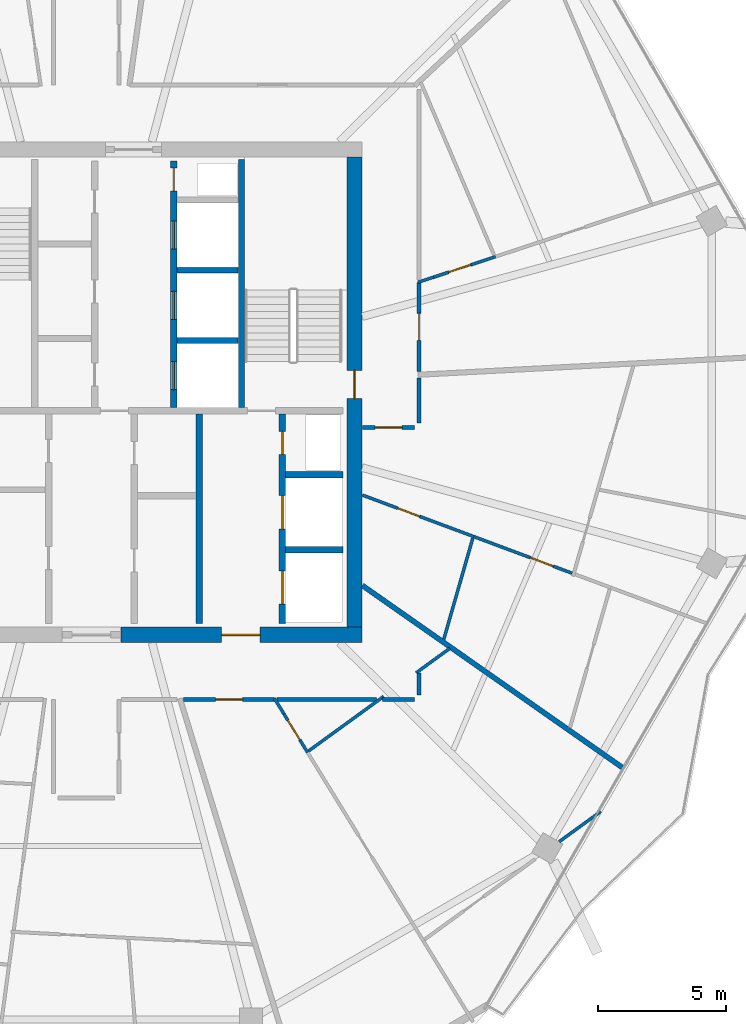
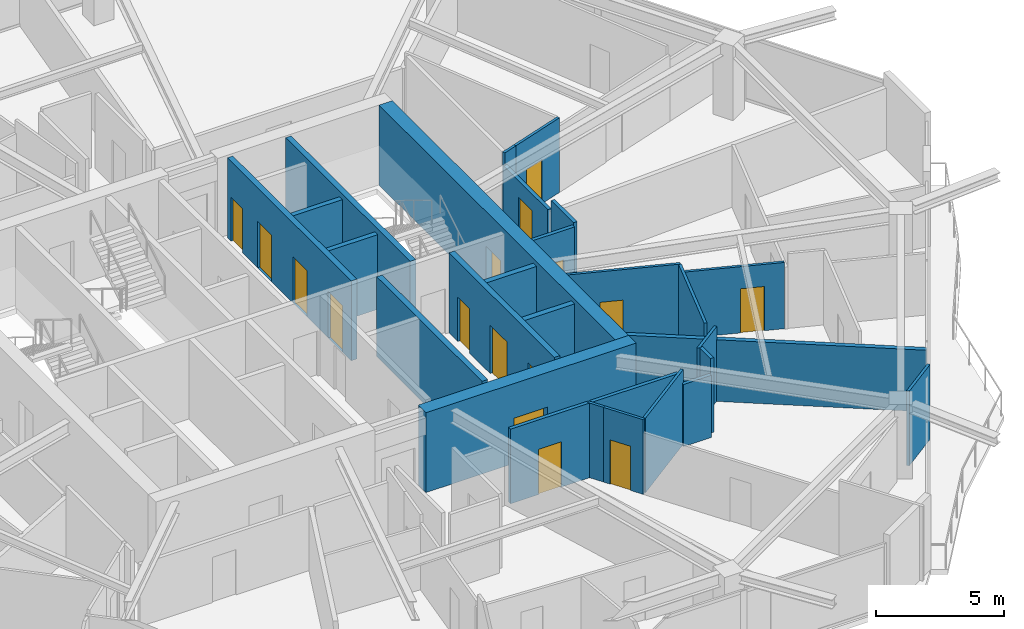
# One storey, part 20 of 25: 28 walls, 16 doors, 16 openings.
"""IFC4 building model written with IfcOpenShell, lengths in metres."""

from ifc_helpers import new_model, si_unit, direction, frame, frame_2d, origin, place, context, subcontext, project, spatial, rectangle, extrude, material, layer, layer_set, type_object, element, fill, save


model = new_model("IFC4")

# Units and contexts
model_context = context("Model", 3, precision=1e-05, world=origin(), true_north=direction((0.0, 1.0)))
body_context = subcontext(model_context, "Body", "Model", "MODEL_VIEW")
ifc_project = project(units=[si_unit("LENGTHUNIT", "METRE"), si_unit("AREAUNIT", "SQUARE_METRE"), si_unit("VOLUMEUNIT", "CUBIC_METRE"), si_unit("PLANEANGLEUNIT", "RADIAN"), si_unit("MASSUNIT", "GRAM", prefix="KILO")], contexts=[model_context])

# Site, building, storey
site_placement = place(None, origin())
site = spatial("IfcSite", under=ifc_project, at=site_placement, CompositionType="ELEMENT")
building_placement = place(site_placement, origin())
building = spatial("IfcBuilding", under=site, at=building_placement, Name="Zuhravey Tower", CompositionType="ELEMENT")
storey_placement = place(building_placement, frame((0.0, 0.0, 257.800048828125)))
storey = spatial("IfcBuildingStorey", under=building, at=storey_placement, Name="L65", CompositionType="ELEMENT", Elevation=257.800048828125)

# Wall, opening, door
ifc_material_1 = material(Name="Concrete C50/60", Category="concrete")
ifc_layer_1 = layer(ifc_material_1, 0.60009765625)
ifc_layer_set_1 = layer_set([ifc_layer_1], Name="Concrete C50/60")
wall_type_1 = type_object("IfcWallType", Name="Core Shear Wall 600", PredefinedType="SHEAR", material=ifc_layer_set_1)
wall_1_placement = place(storey_placement, frame((37.35009765625, 22.5, 0.0), z_axis=(0.0, 0.0, 1.0), x_axis=(1.0, 0.0, 0.0)))
wall_1 = element("IfcWall", 1, at=wall_1_placement, inside=storey, type_object=wall_type_1, Name="L65 South-East Core Shear Wall CW60", PredefinedType="SHEAR", context=body_context, shape_type="SweptSolid", body=[
    extrude(rectangle(XDim=9.449951171875, YDim=0.60009765625, at=frame_2d((4.72509765625, 0.0))), origin(), (0.0, 0.0, 1.0), 3.800048828125),
])
opening_1_placement = place(wall_1_placement, frame((3.949951171875, 0.0, 0.0)))
opening_1 = element("IfcOpeningElement", 2, at=opening_1_placement, cuts=wall_1, Name="Opening FFD1", PredefinedType="OPENING", context=body_context, shape_type="SweptSolid", body=[
    extrude(rectangle(XDim=1.5, YDim=2.14990234375, at=frame_2d((0.75, 1.074951171875))), frame((0.0, 0.31201171875, 0.0), z_axis=(0.0, -1.0, 0.0), x_axis=(1.0, 0.0, 0.0)), (0.0, 0.0, 1.0), 0.6240234375),
])
ifc_material_2 = material(Name="Galvanised fire-rated steel leaf", Category="steel")
door_type_1 = type_object("IfcDoorType", Name="Firefighting Lobby Double Door 1500x2150", OperationType="DOUBLE_DOOR_SINGLE_SWING", PredefinedType="DOOR", material=ifc_material_2)
door_1_placement = place(opening_1_placement, origin())
door_1 = element("IfcDoor", 3, at=door_1_placement, inside=storey, type_object=door_type_1, Name="L65 Firefighting Lobby East Door", OperationType="DOUBLE_DOOR_SINGLE_SWING", OverallHeight=2.14990234375, OverallWidth=1.5, PredefinedType="DOOR", context=body_context, shape_type="SweptSolid", body=[
    extrude(rectangle(XDim=1.5, YDim=2.14990234375, at=frame_2d((0.75, 1.074951171875))), frame((0.0, 0.02490234375, 0.0), z_axis=(0.0, -1.0, 0.0), x_axis=(1.0, 0.0, 0.0)), (0.0, 0.0, 1.0), 0.050048828125),
])
fill(opening_1, door_1)

wall_2_placement = place(storey_placement, frame((46.5, 22.800048828125, 0.0), z_axis=(0.0, 0.0, 1.0), x_axis=(0.0, 1.0, 0.0)))
wall_2 = element("IfcWall", 4, at=wall_2_placement, inside=storey, type_object=wall_type_1, Name="L65 East Core Shear Wall CW60", PredefinedType="SHEAR", context=body_context, shape_type="SweptSolid", body=[
    extrude(rectangle(XDim=18.39990234375, YDim=0.60009765625, at=frame_2d((9.199951171875, 0.0))), origin(), (0.0, 0.0, 1.0), 3.800048828125),
])
opening_2_placement = place(wall_2_placement, frame((8.949951171875, 0.0, 0.0)))
opening_2 = element("IfcOpeningElement", 5, at=opening_2_placement, cuts=wall_2, Name="Opening STD1", PredefinedType="OPENING", context=body_context, shape_type="SweptSolid", body=[
    extrude(rectangle(XDim=1.10009765625, YDim=2.14990234375, at=frame_2d((0.550048828125, 1.074951171875))), frame((0.0, 0.31201171875, 0.0), z_axis=(0.0, -1.0, 0.0), x_axis=(1.0, 0.0, 0.0)), (0.0, 0.0, 1.0), 0.6240234375),
])
door_type_2 = type_object("IfcDoorType", Name="Protected Stair Fire Door 1100x2150", OperationType="NOTDEFINED", PredefinedType="USERDEFINED", material=ifc_material_2)
door_2_placement = place(opening_2_placement, origin())
door_2 = element("IfcDoor", 6, at=door_2_placement, inside=storey, type_object=door_type_2, Name="L65 Stair ST2 Door", ObjectType="EXITDOOR", OperationType="SINGLE_SWING_LEFT", OverallHeight=2.14990234375, OverallWidth=1.10009765625, PredefinedType="USERDEFINED", context=body_context, shape_type="SweptSolid", body=[
    extrude(rectangle(XDim=1.10009765625, YDim=2.14990234375, at=frame_2d((0.550048828125, 1.074951171875))), frame((0.0, 0.02490234375, 0.0), z_axis=(0.0, -1.0, 0.0), x_axis=(1.0, 0.0, 0.0)), (0.0, 0.0, 1.0), 0.050048828125),
])
fill(opening_2, door_2)

ifc_material_3 = material(Name="Gypsum fire-rated stud partition")
ifc_layer_2 = layer(ifc_material_3, 0.159912109375)
ifc_layer_set_2 = layer_set([ifc_layer_2], Name="Gypsum fire-rated stud partition")
wall_type_2 = type_object("IfcWallType", Name="Corridor Fire Partition 160", PredefinedType="PARTITIONING", material=ifc_layer_set_2)
wall_3_placement = place(storey_placement, frame((39.81396484375, 19.969970703125, 0.0), z_axis=(0.0, 0.0, 1.0), x_axis=(1.0, 0.0, 0.0)))
wall_3 = element("IfcWall", 7, at=wall_3_placement, inside=storey, type_object=wall_type_2, Name="L65 IW16 Partition 045", PredefinedType="PARTITIONING", context=body_context, shape_type="SweptSolid", body=[
    extrude(rectangle(XDim=3.552001953125, YDim=0.159912109375, at=frame_2d((1.77587890625, 0.0))), origin(), (0.0, 0.0, 1.0), 3.550048828125),
])
opening_3_placement = place(wall_3_placement, frame((1.2509765625, 0.0, 0.0)))
opening_3 = element("IfcOpeningElement", 8, at=opening_3_placement, cuts=wall_3, Name="Opening APD1", PredefinedType="OPENING", context=body_context, shape_type="SweptSolid", body=[
    extrude(rectangle(XDim=1.050048828125, YDim=2.14990234375, at=frame_2d((0.52490234375, 1.074951171875))), frame((0.0, 0.092041015625, 0.0), z_axis=(0.0, -1.0, 0.0), x_axis=(1.0, 0.0, 0.0)), (0.0, 0.0, 1.0), 0.183837890625),
])
ifc_material_4 = material(Name="Solid-core oak fire-rated leaf")
door_type_3 = type_object("IfcDoorType", Name="Apartment Entrance Fire Door 1050x2150", OperationType="NOTDEFINED", PredefinedType="DOOR", material=ifc_material_4)
door_3_placement = place(opening_3_placement, frame((1.050048828125, 0.0, 0.0), z_axis=(0.0, 0.0, 1.0), x_axis=(-1.0, 0.0, 0.0)))
door_3 = element("IfcDoor", 9, at=door_3_placement, inside=storey, type_object=door_type_3, Name="L65 Door 045.1", OperationType="SINGLE_SWING_LEFT", OverallHeight=2.14990234375, OverallWidth=1.050048828125, PredefinedType="DOOR", context=body_context, shape_type="SweptSolid", body=[
    extrude(rectangle(XDim=1.050048828125, YDim=2.14990234375, at=frame_2d((0.52490234375, 1.074951171875))), frame((0.0, 0.02490234375, 0.0), z_axis=(0.0, -1.0, 0.0), x_axis=(1.0, 0.0, 0.0)), (0.0, 0.0, 1.0), 0.050048828125),
])
fill(opening_3, door_3)

wall_4_placement = place(storey_placement, frame((46.820068359375, 30.6201171875, 0.0), z_axis=(0.0, 0.0, 1.0), x_axis=(1.0, 0.0, 0.0)))
wall_4 = element("IfcWall", 10, at=wall_4_placement, inside=storey, type_object=wall_type_2, Name="L65 IW16 Partition 051", PredefinedType="PARTITIONING", context=body_context, shape_type="SweptSolid", body=[
    extrude(rectangle(XDim=2.030029296875, YDim=0.159912109375, at=frame_2d((1.01513671875, 0.0))), origin(), (0.0, 0.0, 1.0), 3.550048828125),
])
opening_4_placement = place(wall_4_placement, frame((0.489990234375, 0.0, 0.0)))
opening_4 = element("IfcOpeningElement", 11, at=opening_4_placement, cuts=wall_4, Name="Opening APD1", PredefinedType="OPENING", context=body_context, shape_type="SweptSolid", body=[
    extrude(rectangle(XDim=1.050048828125, YDim=2.14990234375, at=frame_2d((0.52490234375, 1.074951171875))), frame((0.0, 0.092041015625, 0.0), z_axis=(0.0, -1.0, 0.0), x_axis=(1.0, 0.0, 0.0)), (0.0, 0.0, 1.0), 0.183837890625),
])
door_4_placement = place(opening_4_placement, frame((1.050048828125, 0.0, 0.0), z_axis=(0.0, 0.0, 1.0), x_axis=(-1.0, 0.0, 0.0)))
door_4 = element("IfcDoor", 12, at=door_4_placement, inside=storey, type_object=door_type_3, Name="L65 Door 051.1", OperationType="SINGLE_SWING_LEFT", OverallHeight=2.14990234375, OverallWidth=1.050048828125, PredefinedType="DOOR", context=body_context, shape_type="SweptSolid", body=[
    extrude(rectangle(XDim=1.050048828125, YDim=2.14990234375, at=frame_2d((0.52490234375, 1.074951171875))), frame((0.0, 0.02490234375, 0.0), z_axis=(0.0, -1.0, 0.0), x_axis=(1.0, 0.0, 0.0)), (0.0, 0.0, 1.0), 0.050048828125),
])
fill(opening_4, door_4)

wall_5_placement = place(storey_placement, frame((49.030029296875, 32.81689453125, 0.0), z_axis=(0.0, 0.0, 1.0), x_axis=(0.0, 1.0, 0.0)))
wall_5 = element("IfcWall", 13, at=wall_5_placement, inside=storey, type_object=wall_type_2, Name="L65 IW16 Partition 055", PredefinedType="PARTITIONING", context=body_context, shape_type="SweptSolid", body=[
    extrude(rectangle(XDim=3.476318359375, YDim=0.159912109375, at=frame_2d((1.73828125, 0.0))), origin(), (0.0, 0.0, 1.0), 2.949951171875),
])
opening_5_placement = place(wall_5_placement, frame((1.213134765625, 0.0, 0.0)))
opening_5 = element("IfcOpeningElement", 14, at=opening_5_placement, cuts=wall_5, Name="Opening APD1", PredefinedType="OPENING", context=body_context, shape_type="SweptSolid", body=[
    extrude(rectangle(XDim=1.050048828125, YDim=2.14990234375, at=frame_2d((0.52490234375, 1.074951171875))), frame((0.0, 0.092041015625, 0.0), z_axis=(0.0, -1.0, 0.0), x_axis=(1.0, 0.0, 0.0)), (0.0, 0.0, 1.0), 0.183837890625),
])
door_5_placement = place(opening_5_placement, frame((1.050048828125, 0.0, 0.0), z_axis=(0.0, 0.0, 1.0), x_axis=(-1.0, 0.0, 0.0)))
door_5 = element("IfcDoor", 15, at=door_5_placement, inside=storey, type_object=door_type_3, Name="L65 Door 055.1", OperationType="SINGLE_SWING_LEFT", OverallHeight=2.14990234375, OverallWidth=1.050048828125, PredefinedType="DOOR", context=body_context, shape_type="SweptSolid", body=[
    extrude(rectangle(XDim=1.050048828125, YDim=2.14990234375, at=frame_2d((0.52490234375, 1.074951171875))), frame((0.0, 0.02490234375, 0.0), z_axis=(0.0, -1.0, 0.0), x_axis=(1.0, 0.0, 0.0)), (0.0, 0.0, 1.0), 0.050048828125),
])
fill(opening_5, door_5)

# Walls
wall_6_placement = place(storey_placement, frame((43.46923828125, 19.969970703125, 0.0), z_axis=(0.0, 0.0, 1.0), x_axis=(1.0, 0.0, 0.0)))
element("IfcWall", 16, at=wall_6_placement, inside=storey, type_object=wall_type_2, Name="L65 IW16 Partition 115", PredefinedType="PARTITIONING", context=body_context, shape_type="SweptSolid", body=[
    extrude(rectangle(XDim=3.8896484375, YDim=0.159912109375, at=frame_2d((1.94482421875, 0.0))), origin(), (0.0, 0.0, 1.0), 3.550048828125),
])
wall_7_placement = place(storey_placement, frame((47.59033203125, 19.969970703125, 0.0), z_axis=(0.0, 0.0, 1.0), x_axis=(1.0, 0.0, 0.0)))
element("IfcWall", 17, at=wall_7_placement, inside=storey, type_object=wall_type_2, Name="L65 IW16 Partition 116", PredefinedType="PARTITIONING", context=body_context, shape_type="SweptSolid", body=[
    extrude(rectangle(XDim=1.259765625, YDim=0.159912109375, at=frame_2d((0.6298828125, 0.0))), origin(), (0.0, 0.0, 1.0), 2.949951171875),
])
wall_8_placement = place(storey_placement, frame((49.030029296875, 20.14990234375, 0.0), z_axis=(0.0, 0.0, 1.0), x_axis=(0.0, 1.0, 0.0)))
element("IfcWall", 18, at=wall_8_placement, inside=storey, type_object=wall_type_2, Name="L65 IW16 Partition 117", PredefinedType="PARTITIONING", context=body_context, shape_type="SweptSolid", body=[
    extrude(rectangle(XDim=0.8662109375, YDim=0.159912109375, at=frame_2d((0.43310546875, 0.0))), origin(), (0.0, 0.0, 1.0), 3.550048828125),
])
wall_9_placement = place(storey_placement, frame((49.030029296875, 30.800048828125, 0.0), z_axis=(0.0, 0.0, 1.0), x_axis=(0.0, 1.0, 0.0)))
element("IfcWall", 19, at=wall_9_placement, inside=storey, type_object=wall_type_2, Name="L65 IW16 Partition 118", PredefinedType="PARTITIONING", context=body_context, shape_type="SweptSolid", body=[
    extrude(rectangle(XDim=1.748779296875, YDim=0.159912109375, at=frame_2d((0.87451171875, 0.0))), origin(), (0.0, 0.0, 1.0), 3.550048828125),
])
ifc_layer_3 = layer(ifc_material_1, 0.25)
ifc_layer_set_3 = layer_set([ifc_layer_3], Name="Concrete C50/60")
wall_type_3 = type_object("IfcWallType", Name="Firefighting Shaft & Stair Wall 250", PredefinedType="SOLIDWALL", material=ifc_layer_set_3)
wall_10_placement = place(storey_placement, frame((42.074951171875, 31.39990234375, 0.0), z_axis=(0.0, 0.0, 1.0), x_axis=(0.0, 1.0, 0.0)))
element("IfcWall", 20, at=wall_10_placement, inside=storey, type_object=wall_type_3, Name="L65 FW25 Shaft Wall 006", PredefinedType="SOLIDWALL", context=body_context, shape_type="SweptSolid", body=[
    extrude(rectangle(XDim=9.7001953125, YDim=0.25, at=frame_2d((4.85009765625, 0.0))), origin(), (0.0, 0.0, 1.0), 3.800048828125),
])

# Wall, openings, doors
wall_11_placement = place(storey_placement, frame((39.425048828125, 31.39990234375, 0.0), z_axis=(0.0, 0.0, 1.0), x_axis=(0.0, 1.0, 0.0)))
wall_11 = element("IfcWall", 21, at=wall_11_placement, inside=storey, type_object=wall_type_3, Name="L65 FW25 Shaft Wall 008", PredefinedType="SOLIDWALL", context=body_context, shape_type="SweptSolid", body=[
    extrude(rectangle(XDim=9.650146484375, YDim=0.25, at=frame_2d((4.8251953125, 0.0))), origin(), (0.0, 0.0, 1.0), 3.800048828125),
])
opening_6_placement = place(wall_11_placement, frame((0.699951171875, 0.0, 0.0)))
opening_6 = element("IfcOpeningElement", 22, at=opening_6_placement, cuts=wall_11, Name="Opening LD1", PredefinedType="OPENING", context=body_context, shape_type="SweptSolid", body=[
    extrude(rectangle(XDim=1.10009765625, YDim=2.199951171875, at=frame_2d((0.550048828125, 1.10009765625))), frame((0.0, 0.136962890625, 0.0), z_axis=(0.0, -1.0, 0.0), x_axis=(1.0, 0.0, 0.0)), (0.0, 0.0, 1.0), 0.27392578125),
])
opening_7_placement = place(wall_11_placement, frame((3.449951171875, 0.0, 0.0)))
opening_7 = element("IfcOpeningElement", 23, at=opening_7_placement, cuts=wall_11, Name="Opening LD1", PredefinedType="OPENING", context=body_context, shape_type="SweptSolid", body=[
    extrude(rectangle(XDim=1.10009765625, YDim=2.199951171875, at=frame_2d((0.550048828125, 1.10009765625))), frame((0.0, 0.136962890625, 0.0), z_axis=(0.0, -1.0, 0.0), x_axis=(1.0, 0.0, 0.0)), (0.0, 0.0, 1.0), 0.27392578125),
])
opening_8_placement = place(wall_11_placement, frame((6.199951171875, 0.0, 0.0)))
opening_8 = element("IfcOpeningElement", 24, at=opening_8_placement, cuts=wall_11, Name="Opening LD1", PredefinedType="OPENING", context=body_context, shape_type="SweptSolid", body=[
    extrude(rectangle(XDim=1.10009765625, YDim=2.199951171875, at=frame_2d((0.550048828125, 1.10009765625))), frame((0.0, 0.136962890625, 0.0), z_axis=(0.0, -1.0, 0.0), x_axis=(1.0, 0.0, 0.0)), (0.0, 0.0, 1.0), 0.27392578125),
])
opening_9_placement = place(wall_11_placement, frame((8.469970703125, 0.0, 0.0)))
opening_9 = element("IfcOpeningElement", 25, at=opening_9_placement, cuts=wall_11, Name="Opening RSD1", PredefinedType="OPENING", context=body_context, shape_type="SweptSolid", body=[
    extrude(rectangle(XDim=0.89990234375, YDim=2.10009765625, at=frame_2d((0.449951171875, 1.050048828125))), frame((0.0, 0.136962890625, 0.0), z_axis=(0.0, -1.0, 0.0), x_axis=(1.0, 0.0, 0.0)), (0.0, 0.0, 1.0), 0.27392578125),
])
ifc_material_5 = material(Name="Brushed stainless steel", Category="steel")
door_type_4 = type_object("IfcDoorType", Name="Lift Landing Sliding Door 1100x2200", OperationType="DOUBLE_DOOR_SLIDING", PredefinedType="DOOR", material=ifc_material_5)
door_6_placement = place(opening_6_placement, origin())
door_6 = element("IfcDoor", 26, at=door_6_placement, inside=storey, type_object=door_type_4, Name="L65 Lift PL7 Landing Door", OperationType="DOUBLE_DOOR_SLIDING", OverallHeight=2.199951171875, OverallWidth=1.10009765625, PredefinedType="DOOR", context=body_context, shape_type="SweptSolid", body=[
    extrude(rectangle(XDim=1.10009765625, YDim=2.199951171875, at=frame_2d((0.550048828125, 1.10009765625))), frame((0.0, 0.02490234375, 0.0), z_axis=(0.0, -1.0, 0.0), x_axis=(1.0, 0.0, 0.0)), (0.0, 0.0, 1.0), 0.050048828125),
])
fill(opening_6, door_6)
door_7_placement = place(opening_7_placement, origin())
door_7 = element("IfcDoor", 27, at=door_7_placement, inside=storey, type_object=door_type_4, Name="L65 Lift PL8 Landing Door", OperationType="DOUBLE_DOOR_SLIDING", OverallHeight=2.199951171875, OverallWidth=1.10009765625, PredefinedType="DOOR", context=body_context, shape_type="SweptSolid", body=[
    extrude(rectangle(XDim=1.10009765625, YDim=2.199951171875, at=frame_2d((0.550048828125, 1.10009765625))), frame((0.0, 0.02490234375, 0.0), z_axis=(0.0, -1.0, 0.0), x_axis=(1.0, 0.0, 0.0)), (0.0, 0.0, 1.0), 0.050048828125),
])
fill(opening_7, door_7)
door_8_placement = place(opening_8_placement, origin())
door_8 = element("IfcDoor", 28, at=door_8_placement, inside=storey, type_object=door_type_4, Name="L65 Lift PL9 Landing Door", OperationType="DOUBLE_DOOR_SLIDING", OverallHeight=2.199951171875, OverallWidth=1.10009765625, PredefinedType="DOOR", context=body_context, shape_type="SweptSolid", body=[
    extrude(rectangle(XDim=1.10009765625, YDim=2.199951171875, at=frame_2d((0.550048828125, 1.10009765625))), frame((0.0, 0.02490234375, 0.0), z_axis=(0.0, -1.0, 0.0), x_axis=(1.0, 0.0, 0.0)), (0.0, 0.0, 1.0), 0.050048828125),
])
fill(opening_8, door_8)
ifc_material_6 = material(Name="Galvanised fire-rated steel access leaf", Category="steel")
door_type_5 = type_object("IfcDoorType", Name="Riser & Shaft Access Fire Door 900x2100", OperationType="NOTDEFINED", PredefinedType="DOOR", material=ifc_material_6)
door_9_placement = place(opening_9_placement, origin())
door_9 = element("IfcDoor", 29, at=door_9_placement, inside=storey, type_object=door_type_5, Name="L65 North Riser Door", OperationType="SINGLE_SWING_LEFT", OverallHeight=2.10009765625, OverallWidth=0.89990234375, PredefinedType="DOOR", context=body_context, shape_type="SweptSolid", body=[
    extrude(rectangle(XDim=0.89990234375, YDim=2.10009765625, at=frame_2d((0.449951171875, 1.050048828125))), frame((0.0, 0.02490234375, 0.0), z_axis=(0.0, -1.0, 0.0), x_axis=(1.0, 0.0, 0.0)), (0.0, 0.0, 1.0), 0.050048828125),
])
fill(opening_9, door_9)

# Walls
wall_12_placement = place(storey_placement, frame((40.425048828125, 22.949951171875, 0.0), z_axis=(0.0, 0.0, 1.0), x_axis=(0.0, 1.0, 0.0)))
element("IfcWall", 30, at=wall_12_placement, inside=storey, type_object=wall_type_3, Name="L65 FW25 Shaft Wall 016", PredefinedType="SOLIDWALL", context=body_context, shape_type="SweptSolid", body=[
    extrude(rectangle(XDim=8.199951171875, YDim=0.25, at=frame_2d((4.10009765625, 0.0))), origin(), (0.0, 0.0, 1.0), 3.800048828125),
])
for number, where, z_axis, x_axis, name in (
    (31, (43.800048828125, 25.824951171875, 0.0), (0.0, 0.0, 1.0), (1.0, 0.0, 0.0), "L65 FW25 Shaft Wall 017"),
    (32, (43.800048828125, 28.77490234375, 0.0), (0.0, 0.0, 1.0), (1.0, 0.0, 0.0), "L65 FW25 Shaft Wall 018"),
):
    element("IfcWall", number, at=place(storey_placement, frame(where, z_axis=z_axis, x_axis=x_axis)), inside=storey, type_object=wall_type_3, Name=name, PredefinedType="SOLIDWALL", context=body_context, shape_type="SweptSolid", body=[
        extrude(rectangle(XDim=2.25, YDim=0.25, at=frame_2d((1.125, 0.0))), origin(), (0.0, 0.0, 1.0), 3.800048828125),
    ])

# Wall, openings, doors
wall_13_placement = place(storey_placement, frame((43.675048828125, 22.949951171875, 0.0), z_axis=(0.0, 0.0, 1.0), x_axis=(0.0, 1.0, 0.0)))
wall_13 = element("IfcWall", 33, at=wall_13_placement, inside=storey, type_object=wall_type_3, Name="L65 FW25 Shaft Wall 019", PredefinedType="SOLIDWALL", context=body_context, shape_type="SweptSolid", body=[
    extrude(rectangle(XDim=8.199951171875, YDim=0.25, at=frame_2d((4.10009765625, 0.0))), origin(), (0.0, 0.0, 1.0), 3.800048828125),
])
opening_10_placement = place(wall_13_placement, frame((0.75, 0.0, 0.0)))
opening_10 = element("IfcOpeningElement", 34, at=opening_10_placement, cuts=wall_13, Name="Opening LD2", PredefinedType="OPENING", context=body_context, shape_type="SweptSolid", body=[
    extrude(rectangle(XDim=1.300048828125, YDim=2.300048828125, at=frame_2d((0.64990234375, 1.14990234375))), frame((0.0, 0.136962890625, 0.0), z_axis=(0.0, -1.0, 0.0), x_axis=(1.0, 0.0, 0.0)), (0.0, 0.0, 1.0), 0.27392578125),
])
opening_11_placement = place(wall_13_placement, frame((3.699951171875, 0.0, 0.0)))
opening_11 = element("IfcOpeningElement", 35, at=opening_11_placement, cuts=wall_13, Name="Opening LD2", PredefinedType="OPENING", context=body_context, shape_type="SweptSolid", body=[
    extrude(rectangle(XDim=1.300048828125, YDim=2.300048828125, at=frame_2d((0.64990234375, 1.14990234375))), frame((0.0, 0.136962890625, 0.0), z_axis=(0.0, -1.0, 0.0), x_axis=(1.0, 0.0, 0.0)), (0.0, 0.0, 1.0), 0.27392578125),
])
opening_12_placement = place(wall_13_placement, frame((6.6201171875, 0.0, 0.0)))
opening_12 = element("IfcOpeningElement", 36, at=opening_12_placement, cuts=wall_13, Name="Opening RSD1", PredefinedType="OPENING", context=body_context, shape_type="SweptSolid", body=[
    extrude(rectangle(XDim=0.89990234375, YDim=2.10009765625, at=frame_2d((0.449951171875, 1.050048828125))), frame((0.0, 0.136962890625, 0.0), z_axis=(0.0, -1.0, 0.0), x_axis=(1.0, 0.0, 0.0)), (0.0, 0.0, 1.0), 0.27392578125),
])
door_type_6 = type_object("IfcDoorType", Name="Freight & Stretcher Lift Sliding Door 1300x2300", OperationType="DOUBLE_DOOR_SLIDING", PredefinedType="DOOR", material=ifc_material_5)
door_10_placement = place(opening_10_placement, origin())
door_10 = element("IfcDoor", 37, at=door_10_placement, inside=storey, type_object=door_type_6, Name="L65 Lift FF2 Landing Door", OperationType="DOUBLE_DOOR_SLIDING", OverallHeight=2.300048828125, OverallWidth=1.300048828125, PredefinedType="DOOR", context=body_context, shape_type="SweptSolid", body=[
    extrude(rectangle(XDim=1.300048828125, YDim=2.300048828125, at=frame_2d((0.64990234375, 1.14990234375))), frame((0.0, 0.02490234375, 0.0), z_axis=(0.0, -1.0, 0.0), x_axis=(1.0, 0.0, 0.0)), (0.0, 0.0, 1.0), 0.050048828125),
])
fill(opening_10, door_10)
door_11_placement = place(opening_11_placement, origin())
door_11 = element("IfcDoor", 38, at=door_11_placement, inside=storey, type_object=door_type_6, Name="L65 Lift SV1 Landing Door", OperationType="DOUBLE_DOOR_SLIDING", OverallHeight=2.300048828125, OverallWidth=1.300048828125, PredefinedType="DOOR", context=body_context, shape_type="SweptSolid", body=[
    extrude(rectangle(XDim=1.300048828125, YDim=2.300048828125, at=frame_2d((0.64990234375, 1.14990234375))), frame((0.0, 0.02490234375, 0.0), z_axis=(0.0, -1.0, 0.0), x_axis=(1.0, 0.0, 0.0)), (0.0, 0.0, 1.0), 0.050048828125),
])
fill(opening_11, door_11)
door_12_placement = place(opening_12_placement, origin())
door_12 = element("IfcDoor", 39, at=door_12_placement, inside=storey, type_object=door_type_5, Name="L65 Plumbing Riser Door", OperationType="SINGLE_SWING_RIGHT", OverallHeight=2.10009765625, OverallWidth=0.89990234375, PredefinedType="DOOR", context=body_context, shape_type="SweptSolid", body=[
    extrude(rectangle(XDim=0.89990234375, YDim=2.10009765625, at=frame_2d((0.449951171875, 1.050048828125))), frame((0.0, 0.02490234375, 0.0), z_axis=(0.0, -1.0, 0.0), x_axis=(1.0, 0.0, 0.0)), (0.0, 0.0, 1.0), 0.050048828125),
])
fill(opening_12, door_12)

# Walls
ifc_material_7 = material(Name="Gypsum double-stud party assembly")
ifc_layer_4 = layer(ifc_material_7, 0.199951171875)
ifc_layer_set_4 = layer_set([ifc_layer_4], Name="Gypsum double-stud party assembly")
wall_type_4 = type_object("IfcWallType", Name="Inter-Tenancy Party Wall 200", PredefinedType="PARTITIONING", material=ifc_layer_set_4)
wall_14_placement = place(storey_placement, frame((46.80810546875, 24.43212890625, 0.0), z_axis=(0.0, 0.0, 1.0), x_axis=(0.819149112162, -0.57358062384, 0.0)))
element("IfcWall", 40, at=wall_14_placement, inside=storey, type_object=wall_type_4, Name="L65 IW20 Partition 090", PredefinedType="PARTITIONING", context=body_context, shape_type="SweptSolid", body=[
    extrude(rectangle(XDim=12.467041015625, YDim=0.199951171875, at=frame_2d((6.2333984375, 0.0))), origin(), (0.0, 0.0, 1.0), 2.929931640625),
])
ifc_material_8 = material(Name="Gypsum acoustic stud assembly")
ifc_layer_5 = layer(ifc_material_8, 0.219970703125)
ifc_layer_set_5 = layer_set([ifc_layer_5], Name="Gypsum acoustic stud assembly")
wall_type_5 = type_object("IfcWallType", Name="School Acoustic Compartment Wall 220", PredefinedType="PARTITIONING", material=ifc_layer_set_5)
for number, where, z_axis, x_axis, name in (
    (41, (39.55810546875, 34.02490234375, 0.0), (0.0, 0.0, 1.0), (1.0, 0.0, 0.0), "L65 IW22 Partition 063"),
    (42, (39.55810546875, 36.77490234375, 0.0), (0.0, 0.0, 1.0), (1.0, 0.0, 0.0), "L65 IW22 Partition 064"),
):
    element("IfcWall", number, at=place(storey_placement, frame(where, z_axis=z_axis, x_axis=x_axis)), inside=storey, type_object=wall_type_5, Name=name, PredefinedType="PARTITIONING", context=body_context, shape_type="SweptSolid", body=[
        extrude(rectangle(XDim=2.3837890625, YDim=0.219970703125, at=frame_2d((1.19189453125, 0.0))), origin(), (0.0, 0.0, 1.0), 3.550048828125),
    ])

# Wall, opening, door
ifc_material_9 = material(Name="Gypsum metal-stud partition")
ifc_layer_6 = layer(ifc_material_9, 0.1201171875)
ifc_layer_set_6 = layer_set([ifc_layer_6], Name="Gypsum metal-stud partition")
wall_type_6 = type_object("IfcWallType", Name="Unit Internal Partition 120", PredefinedType="PARTITIONING", material=ifc_layer_set_6)
wall_15_placement = place(storey_placement, frame((43.739501953125, 19.39990234375, 0.0), z_axis=(0.0, 0.0, 1.0), x_axis=(0.523441067702, -0.852061880759, 0.0)))
wall_15 = element("IfcWall", 43, at=wall_15_placement, inside=storey, type_object=wall_type_6, Name="L65 IW12 Partition 042", PredefinedType="PARTITIONING", context=body_context, shape_type="SweptSolid", body=[
    extrude(rectangle(XDim=1.764404296875, YDim=0.1201171875, at=frame_2d((0.88232421875, 0.0))), origin(), (0.0, 0.0, 1.0), 3.550048828125),
])
opening_13_placement = place(wall_15_placement, frame((0.291015625, 0.0, 0.0)))
opening_13 = element("IfcOpeningElement", 44, at=opening_13_placement, cuts=wall_15, Name="Opening WCD1", PredefinedType="OPENING", context=body_context, shape_type="SweptSolid", body=[
    extrude(rectangle(XDim=0.89990234375, YDim=2.10009765625, at=frame_2d((0.449951171875, 1.050048828125))), frame((0.0, 0.072021484375, 0.0), z_axis=(0.0, -1.0, 0.0), x_axis=(1.0, 0.0, 0.0)), (0.0, 0.0, 1.0), 0.14404296875),
])
ifc_material_10 = material(Name="Moisture-resistant timber leaf", Category="wood")
door_type_7 = type_object("IfcDoorType", Name="Bathroom & WC Internal Door 900x2100", OperationType="NOTDEFINED", PredefinedType="DOOR", material=ifc_material_10)
door_13_placement = place(opening_13_placement, origin())
door_13 = element("IfcDoor", 45, at=door_13_placement, inside=storey, type_object=door_type_7, Name="Apartment L65-05 Bathroom Door", OperationType="SINGLE_SWING_RIGHT", OverallHeight=2.10009765625, OverallWidth=0.89990234375, PredefinedType="DOOR", context=body_context, shape_type="SweptSolid", body=[
    extrude(rectangle(XDim=0.89990234375, YDim=2.10009765625, at=frame_2d((0.449951171875, 1.050048828125))), frame((0.0, 0.02490234375, 0.0), z_axis=(0.0, -1.0, 0.0), x_axis=(1.0, 0.0, 0.0)), (0.0, 0.0, 1.0), 0.050048828125),
])
fill(opening_13, door_13)

wall_16_placement = place(storey_placement, frame((46.80810546875, 27.971923828125, 0.0), z_axis=(0.0, 0.0, 1.0), x_axis=(0.937036038674, -0.349232676344, 0.0)))
wall_16 = element("IfcWall", 46, at=wall_16_placement, inside=storey, type_object=wall_type_6, Name="L65 IW12 Partition 047", PredefinedType="PARTITIONING", context=body_context, shape_type="SweptSolid", body=[
    extrude(rectangle(XDim=4.6572265625, YDim=0.1201171875, at=frame_2d((2.32861328125, 0.0))), origin(), (0.0, 0.0, 1.0), 3.550048828125),
])
opening_14_placement = place(wall_16_placement, frame((1.486572265625, 0.0, 0.0)))
opening_14 = element("IfcOpeningElement", 47, at=opening_14_placement, cuts=wall_16, Name="Opening WCD1", PredefinedType="OPENING", context=body_context, shape_type="SweptSolid", body=[
    extrude(rectangle(XDim=0.89990234375, YDim=2.10009765625, at=frame_2d((0.449951171875, 1.050048828125))), frame((0.0, 0.072021484375, 0.0), z_axis=(0.0, -1.0, 0.0), x_axis=(1.0, 0.0, 0.0)), (0.0, 0.0, 1.0), 0.14404296875),
])
door_14_placement = place(opening_14_placement, frame((0.89990234375, 0.0, 0.0), z_axis=(0.0, 0.0, 1.0), x_axis=(-1.0, 0.0, 0.0)))
door_14 = element("IfcDoor", 48, at=door_14_placement, inside=storey, type_object=door_type_7, Name="Apartment L65-06 Bathroom Door", OperationType="SINGLE_SWING_RIGHT", OverallHeight=2.10009765625, OverallWidth=0.89990234375, PredefinedType="DOOR", context=body_context, shape_type="SweptSolid", body=[
    extrude(rectangle(XDim=0.89990234375, YDim=2.10009765625, at=frame_2d((0.449951171875, 1.050048828125))), frame((0.0, 0.02490234375, 0.0), z_axis=(0.0, -1.0, 0.0), x_axis=(1.0, 0.0, 0.0)), (0.0, 0.0, 1.0), 0.050048828125),
])
fill(opening_14, door_14)

wall_17_placement = place(storey_placement, frame((51.172119140625, 26.345458984375, 0.0), z_axis=(0.0, 0.0, 1.0), x_axis=(0.937041629646, -0.349217674682, 0.0)))
wall_17 = element("IfcWall", 49, at=wall_17_placement, inside=storey, type_object=wall_type_6, Name="L65 IW12 Partition 048", PredefinedType="PARTITIONING", context=body_context, shape_type="SweptSolid", body=[
    extrude(rectangle(XDim=4.10107421875, YDim=0.1201171875, at=frame_2d((2.050537109375, 0.0))), origin(), (0.0, 0.0, 1.0), 3.14990234375),
])
opening_15_placement = place(wall_17_placement, frame((2.35888671875, 0.0, 0.0)))
opening_15 = element("IfcOpeningElement", 50, at=opening_15_placement, cuts=wall_17, Name="Opening IND1", PredefinedType="OPENING", context=body_context, shape_type="SweptSolid", body=[
    extrude(rectangle(XDim=0.949951171875, YDim=2.10009765625, at=frame_2d((0.47509765625, 1.050048828125))), frame((0.0, 0.072021484375, 0.0), z_axis=(0.0, -1.0, 0.0), x_axis=(1.0, 0.0, 0.0)), (0.0, 0.0, 1.0), 0.14404296875),
])
ifc_material_11 = material(Name="Painted engineered timber leaf", Category="wood")
door_type_8 = type_object("IfcDoorType", Name="Internal Room & Bedroom Door 950x2100", OperationType="NOTDEFINED", PredefinedType="DOOR", material=ifc_material_11)
door_15_placement = place(opening_15_placement, frame((0.949951171875, 0.0, 0.0), z_axis=(0.0, 0.0, 1.0), x_axis=(-1.0, 0.0, 0.0)))
door_15 = element("IfcDoor", 51, at=door_15_placement, inside=storey, type_object=door_type_8, Name="Apartment L65-06 Home Office Door", OperationType="SINGLE_SWING_LEFT", OverallHeight=2.10009765625, OverallWidth=0.949951171875, PredefinedType="DOOR", context=body_context, shape_type="SweptSolid", body=[
    extrude(rectangle(XDim=0.949951171875, YDim=2.10009765625, at=frame_2d((0.47509765625, 1.050048828125))), frame((0.0, 0.02490234375, 0.0), z_axis=(0.0, -1.0, 0.0), x_axis=(1.0, 0.0, 0.0)), (0.0, 0.0, 1.0), 0.050048828125),
])
fill(opening_15, door_15)

wall_18_placement = place(storey_placement, frame((49.60009765625, 36.5029296875, 0.0), z_axis=(0.0, 0.0, 1.0), x_axis=(0.949295505905, 0.314385181693, 0.0)))
wall_18 = element("IfcWall", 52, at=wall_18_placement, inside=storey, type_object=wall_type_6, Name="L65 IW12 Partition 052", PredefinedType="PARTITIONING", context=body_context, shape_type="SweptSolid", body=[
    extrude(rectangle(XDim=2.544921875, YDim=0.1201171875, at=frame_2d((1.2724609375, 0.0))), origin(), (0.0, 0.0, 1.0), 3.550048828125),
])
opening_16_placement = place(wall_18_placement, frame((0.618896484375, 0.0, 0.0)))
opening_16 = element("IfcOpeningElement", 53, at=opening_16_placement, cuts=wall_18, Name="Opening WCD1", PredefinedType="OPENING", context=body_context, shape_type="SweptSolid", body=[
    extrude(rectangle(XDim=0.89990234375, YDim=2.10009765625, at=frame_2d((0.449951171875, 1.050048828125))), frame((0.0, 0.072021484375, 0.0), z_axis=(0.0, -1.0, 0.0), x_axis=(1.0, 0.0, 0.0)), (0.0, 0.0, 1.0), 0.14404296875),
])
door_16_placement = place(opening_16_placement, origin())
door_16 = element("IfcDoor", 54, at=door_16_placement, inside=storey, type_object=door_type_7, Name="Apartment L65-07 Bathroom Door", OperationType="SINGLE_SWING_RIGHT", OverallHeight=2.10009765625, OverallWidth=0.89990234375, PredefinedType="DOOR", context=body_context, shape_type="SweptSolid", body=[
    extrude(rectangle(XDim=0.89990234375, YDim=2.10009765625, at=frame_2d((0.449951171875, 1.050048828125))), frame((0.0, 0.02490234375, 0.0), z_axis=(0.0, -1.0, 0.0), x_axis=(1.0, 0.0, 0.0)), (0.0, 0.0, 1.0), 0.050048828125),
])
fill(opening_16, door_16)

# Walls
wall_19_placement = place(storey_placement, frame((43.365966796875, 20.00830078125, 0.0), z_axis=(0.0, 0.0, 1.0), x_axis=(0.52321946428, -0.852197977115, 0.0)))
element("IfcWall", 55, at=wall_19_placement, inside=storey, type_object=wall_type_6, Name="L65 IW12 Partition 085", PredefinedType="PARTITIONING", context=body_context, shape_type="SweptSolid", body=[
    extrude(rectangle(XDim=0.7138671875, YDim=0.1201171875, at=frame_2d((0.35693359375, 0.0))), origin(), (0.0, 0.0, 1.0), 3.550048828125),
])
wall_20_placement = place(storey_placement, frame((44.705078125, 17.957763671875, 0.0), z_axis=(0.0, 0.0, 1.0), x_axis=(0.809009560969, 0.587795483362, 0.0)))
element("IfcWall", 56, at=wall_20_placement, inside=storey, type_object=wall_type_6, Name="L65 IW12 Partition 087", PredefinedType="PARTITIONING", context=body_context, shape_type="SweptSolid", body=[
    extrude(rectangle(XDim=3.627685546875, YDim=0.1201171875, at=frame_2d((1.81396484375, 0.0))), origin(), (0.0, 0.0, 1.0), 3.550048828125),
])
wall_21_placement = place(storey_placement, frame((48.909912109375, 21.012939453125, 0.0), z_axis=(0.0, 0.0, 1.0), x_axis=(0.809007643974, 0.5877981218, 0.0)))
element("IfcWall", 57, at=wall_21_placement, inside=storey, type_object=wall_type_6, Name="L65 IW12 Partition 088", PredefinedType="PARTITIONING", context=body_context, shape_type="SweptSolid", body=[
    extrude(rectangle(XDim=1.63232421875, YDim=0.1201171875, at=frame_2d((0.816162109375, 0.0))), origin(), (0.0, 0.0, 1.0), 3.550048828125),
])
wall_22_placement = place(storey_placement, frame((54.513671875, 14.407470703125, 0.0), z_axis=(0.0, 0.0, 1.0), x_axis=(0.809041940598, 0.58775091523, 0.0)))
element("IfcWall", 58, at=wall_22_placement, inside=storey, type_object=wall_type_6, Name="L65 IW12 Partition 089", PredefinedType="PARTITIONING", context=body_context, shape_type="SweptSolid", body=[
    extrude(rectangle(XDim=2.001220703125, YDim=0.1201171875, at=frame_2d((1.00048828125, 0.0))), origin(), (0.0, 0.0, 1.0), 3.550048828125),
])
wall_23_placement = place(storey_placement, frame((49.9951171875, 22.332275390625, 0.0), z_axis=(0.0, 0.0, 1.0), x_axis=(0.27563759031, 0.961261628699, 0.0)))
element("IfcWall", 59, at=wall_23_placement, inside=storey, type_object=wall_type_6, Name="L65 IW12 Partition 093", PredefinedType="PARTITIONING", context=body_context, shape_type="SweptSolid", body=[
    extrude(rectangle(XDim=4.115966796875, YDim=0.1201171875, at=frame_2d((2.05810546875, 0.0))), origin(), (0.0, 0.0, 1.0), 3.550048828125),
])
wall_24_placement = place(storey_placement, frame((48.986328125, 36.2998046875, 0.0), z_axis=(0.0, 0.0, 1.0), x_axis=(0.94936083971, 0.314187835576, 0.0)))
element("IfcWall", 60, at=wall_24_placement, inside=storey, type_object=wall_type_6, Name="L65 IW12 Partition 095", PredefinedType="PARTITIONING", context=body_context, shape_type="SweptSolid", body=[
    extrude(rectangle(XDim=0.646484375, YDim=0.1201171875, at=frame_2d((0.3232421875, 0.0))), origin(), (0.0, 0.0, 1.0), 3.550048828125),
])

save(model, "model.ifc")
